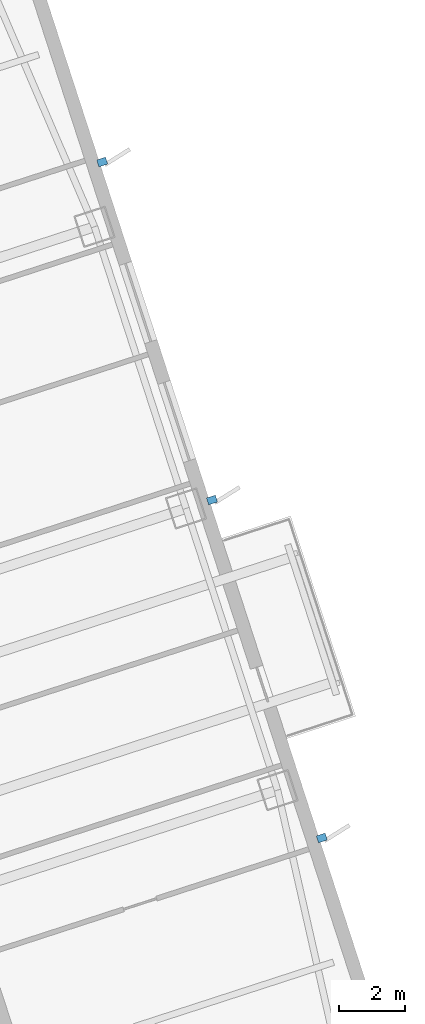
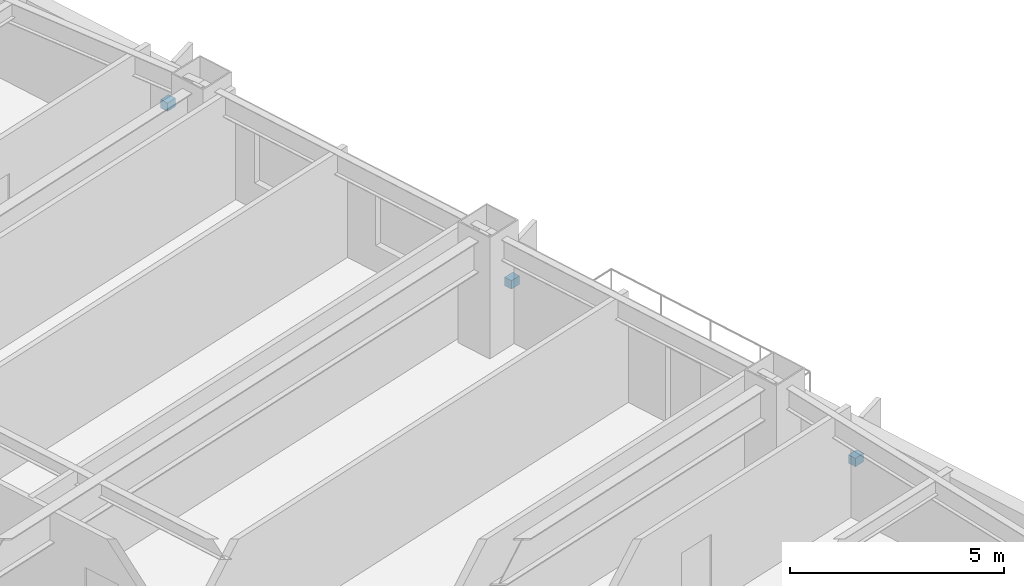
# One storey, part 12 of 18: 3 discrete accessories.
"""IFC4 building model written with IfcOpenShell, lengths in metres."""

from ifc_helpers import new_model, si_unit, direction, frame, origin, origin_2d, place, context, subcontext, project, spatial, rectangle, extrude, material, type_object, element, save


model = new_model("IFC4")

# Units and contexts
model_context = context("Model", 3, precision=1e-05, world=origin(), true_north=direction((0.0, 1.0)))
body_context = subcontext(model_context, "Body", "Model", "MODEL_VIEW")
ifc_project = project(units=[si_unit("LENGTHUNIT", "METRE"), si_unit("AREAUNIT", "SQUARE_METRE"), si_unit("VOLUMEUNIT", "CUBIC_METRE"), si_unit("PLANEANGLEUNIT", "RADIAN"), si_unit("MASSUNIT", "GRAM", prefix="KILO")], contexts=[model_context])

# Site, building, storey
site_placement = place(None, origin())
site = spatial("IfcSite", under=ifc_project, at=site_placement, CompositionType="ELEMENT")
building_placement = place(site_placement, origin())
building = spatial("IfcBuilding", under=site, at=building_placement, Name="Qiaolan Cultural Towers", CompositionType="ELEMENT")
storey_placement = place(building_placement, frame((0.0, 0.0, 67.85009765625)))
storey = spatial("IfcBuildingStorey", under=building, at=storey_placement, Name="L16", CompositionType="ELEMENT", Elevation=67.85009765625)

# Discrete accessories
ifc_material = material(Name="Stainless Steel S31608 Facade Anchor Bracket", Category="steel")
discrete_accessory_type = type_object("IfcDiscreteAccessoryType", Name="ACC-BRK-SS", PredefinedType="BRACKET", material=ifc_material)
for number, where, z_axis, x_axis, name in (
    (1, (111.673828125, 29.6865234375, 1.18505859375), (0.0, 0.0, 1.0), (0.951056516295, 0.309016994375, 0.0), "L16 T2 Facade Fin Anchor Bracket E1"),
    (2, (108.33642578125, 39.957763671875, 1.18505859375), (0.0, 0.0, 1.0), (0.951056516295, 0.309016994375, 0.0), "L16 T2 Facade Fin Anchor Bracket E2"),
    (3, (104.9990234375, 50.229248046875, 1.18505859375), (0.0, 0.0, 1.0), (0.951056516295, 0.309016994375, 0.0), "L16 T2 Facade Fin Anchor Bracket E3"),
):
    element("IfcDiscreteAccessory", number, at=place(storey_placement, frame(where, z_axis=z_axis, x_axis=x_axis)), inside=storey, type_object=discrete_accessory_type, Name=name, PredefinedType="BRACKET", context=body_context, shape_type="SweptSolid", body=[
        extrude(rectangle(XDim=0.280029296875, YDim=0.219970703125, at=origin_2d()), origin(), (0.0, 0.0, 1.0), 0.239990234375),
    ])

save(model, "model.ifc")
